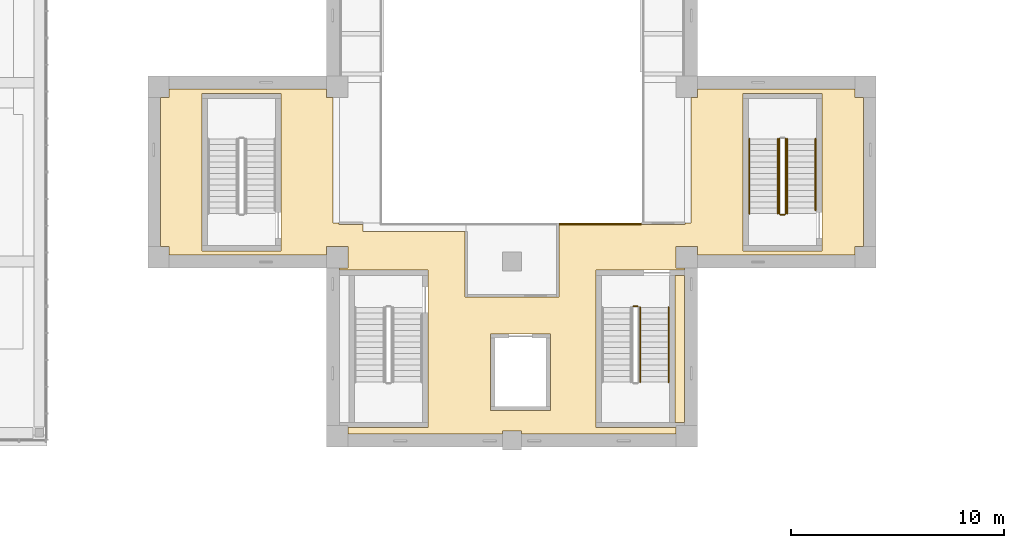
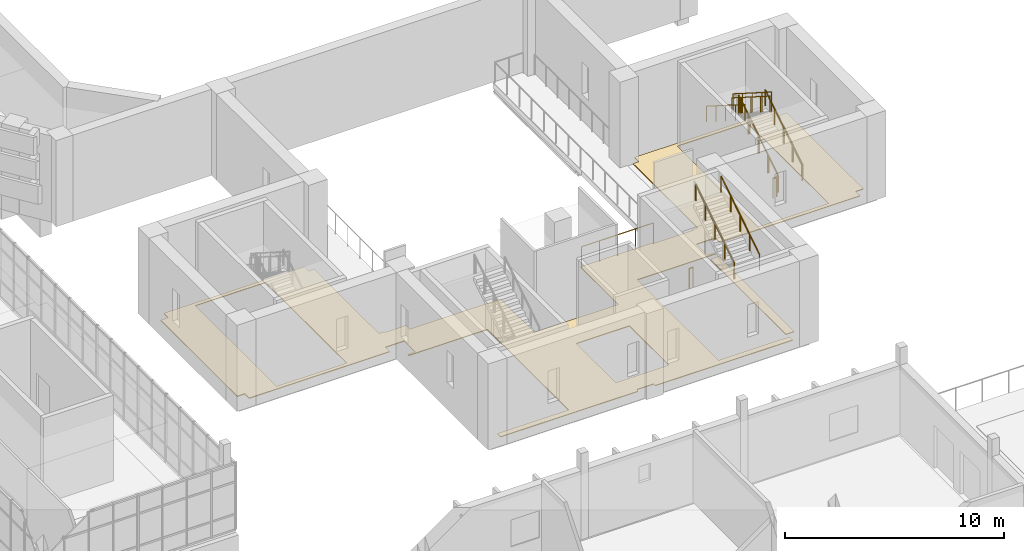
# One storey, part 82 of 103: 11 railings, 2 coverings.
"""IFC4 building model written with IfcOpenShell, lengths in metres."""

from ifc_helpers import new_model, si_unit, direction, frame, origin, origin_2d, place, context, subcontext, project, spatial, polyline, circle, outline, extrude, material, layer, layer_set, type_object, element, save


model = new_model("IFC4")

# Units and contexts
model_context = context("Model", 3, precision=1e-05, world=origin(), true_north=direction((0.0, 1.0)))
body_context = subcontext(model_context, "Body", "Model", "MODEL_VIEW")
ifc_project = project(units=[si_unit("LENGTHUNIT", "METRE"), si_unit("AREAUNIT", "SQUARE_METRE"), si_unit("VOLUMEUNIT", "CUBIC_METRE"), si_unit("PLANEANGLEUNIT", "RADIAN"), si_unit("MASSUNIT", "GRAM", prefix="KILO")], contexts=[model_context])

# Site, building, storey
site_placement = place(None, origin())
site = spatial("IfcSite", under=ifc_project, at=site_placement, CompositionType="ELEMENT")
building_placement = place(site_placement, origin())
building = spatial("IfcBuilding", under=site, at=building_placement, Name="Larchfold Concert Hall", CompositionType="ELEMENT")
storey_placement = place(building_placement, frame((0.0, 0.0, 9.60009765625)))
storey = spatial("IfcBuildingStorey", under=building, at=storey_placement, Name="L02", CompositionType="ELEMENT", Elevation=9.60009765625)

# Coverings
ifc_material_1 = material(Name="Polished terrazzo")
ifc_layer = layer(ifc_material_1, 0.0400390625)
ifc_layer_set = layer_set([ifc_layer], Name="Polished terrazzo")
covering_type = type_object("IfcCoveringType", Name="Floor finish terrazzo 40", PredefinedType="FLOORING", material=ifc_layer_set)
covering_1_placement = place(storey_placement, origin())
element("IfcCovering", 1, at=covering_1_placement, inside=storey, type_object=covering_type, Name="Floor finish Fly Gallery Walkway 01", PredefinedType="FLOORING", context=body_context, shape_type="SweptSolid", body=[
    extrude(outline(polyline([(35.60009765625, 44.33740234375), (34.47998046875, 44.33740234375), (34.47998046875, 44.39990234375), (34.199951171875, 44.39990234375), (34.199951171875, 50.300048828125), (33.89990234375, 50.300048828125), (33.89990234375, 50.699951171875), (26.5, 50.699951171875), (26.5, 50.300048828125), (26.10009765625, 50.300048828125), (26.10009765625, 43.300048828125), (26.5, 43.300048828125), (26.5, 42.900146484375), (33.89990234375, 42.900146484375), (33.89990234375, 43.300048828125), (34.89990234375, 43.300048828125), (34.89990234375, 42.300048828125), (34.5, 42.300048828125), (34.5, 42.199951171875), (38.64990234375, 42.199951171875), (38.64990234375, 34.800048828125), (34.89990234375, 34.800048828125), (34.89990234375, 34.5), (42.150146484375, 34.5), (42.150146484375, 34.64990234375), (43.050048828125, 34.64990234375), (43.050048828125, 34.5), (50.300048828125, 34.5), (50.300048828125, 34.800048828125), (46.550048828125, 34.800048828125), (46.550048828125, 42.199951171875), (50.699951171875, 42.199951171875), (50.699951171875, 42.300048828125), (50.300048828125, 42.300048828125), (50.300048828125, 43.300048828125), (51.300048828125, 43.300048828125), (51.300048828125, 42.900146484375), (58.699951171875, 42.900146484375), (58.699951171875, 43.300048828125), (59.099853515625, 43.300048828125), (59.099853515625, 50.300048828125), (58.699951171875, 50.300048828125), (58.699951171875, 50.699951171875), (51.300048828125, 50.699951171875), (51.300048828125, 50.300048828125), (51.0, 50.300048828125), (51.0, 44.39990234375), (50.719970703125, 44.39990234375), (50.719970703125, 44.33740234375), (48.679931640625, 44.33740234375), (48.679931640625, 44.39990234375), (44.8125, 44.39990234375), (44.8125, 40.9375), (40.387451171875, 40.9375), (40.387451171875, 43.9990234375), (35.60009765625, 43.99951171875), (35.60009765625, 44.33740234375)]), holes=[polyline([(57.14990234375, 43.10009765625), (53.449951171875, 43.10009765625), (53.449951171875, 50.5), (57.14990234375, 50.5), (57.14990234375, 43.10009765625)]), polyline([(41.60009765625, 35.60009765625), (41.60009765625, 39.199951171875), (44.39990234375, 39.199951171875), (44.39990234375, 35.60009765625), (41.60009765625, 35.60009765625)]), polyline([(28.050048828125, 43.10009765625), (28.050048828125, 50.5), (31.75, 50.5), (31.75, 43.10009765625), (28.050048828125, 43.10009765625)])]), origin(), (0.0, 0.0, 1.0), 0.0400390625),
])
covering_2_placement = place(storey_placement, origin())
element("IfcCovering", 2, at=covering_2_placement, inside=storey, type_object=covering_type, Name="Floor finish Fly Gallery Walkway 01", PredefinedType="FLOORING", context=body_context, shape_type="SweptSolid", body=[
    extrude(outline(polyline([(50.25, 35.050048828125), (50.699951171875, 35.050048828125), (50.699951171875, 41.949951171875), (50.25, 41.949951171875), (50.25, 35.050048828125)])), origin(), (0.0, 0.0, 1.0), 0.0400390625),
])

# Railings
ifc_material_2 = material(Name="Stainless steel balustrade", Category="steel")
railing_type_1 = type_object("IfcRailingType", Name="Fly tower guard 1200", PredefinedType="GUARDRAIL", material=ifc_material_2)
railing_1_placement = place(storey_placement, frame((44.8525390625, 44.33984375, 0.0)))
element("IfcRailing", 3, at=railing_1_placement, inside=storey, type_object=railing_type_1, Name="Guard GR0100", PredefinedType="GUARDRAIL", context=body_context, shape_type="SweptSolid", body=[
    extrude(circle(Radius=0.02392578125, at=origin_2d()), frame((0.0, 0.0, 1.17578125), z_axis=(1.0, 0.0, 0.0), x_axis=(0.0, 1.0, 0.0)), (0.0, 0.0, 1.0), 3.787353515625),
    extrude(circle(Radius=0.02099609375, at=origin_2d()), origin(), (0.0, 0.0, 1.0), 1.15185546875),
    extrude(circle(Radius=0.02099609375, at=origin_2d()), frame((0.94677734375, 0.0, 0.0)), (0.0, 0.0, 1.0), 1.15185546875),
    extrude(circle(Radius=0.02099609375, at=origin_2d()), frame((1.8935546875, 0.0, 0.0)), (0.0, 0.0, 1.0), 1.15185546875),
    extrude(circle(Radius=0.02099609375, at=origin_2d()), frame((2.840576171875, 0.0, 0.0)), (0.0, 0.0, 1.0), 1.15185546875),
    extrude(circle(Radius=0.02099609375, at=origin_2d()), frame((3.787353515625, 0.0, 0.0)), (0.0, 0.0, 1.0), 1.15185546875),
])
ifc_material_3 = material(Name="Stainless steel balustrade", Category="steel")
railing_type_2 = type_object("IfcRailingType", Name="Stair guard 1100", PredefinedType="GUARDRAIL", material=ifc_material_3)
railing_2_placement = place(storey_placement, frame((55.449951171875, 44.85009765625, 0.17138671875)))
element("IfcRailing", 4, at=railing_2_placement, inside=storey, type_object=railing_type_2, Name="Guard GR0040", PredefinedType="GUARDRAIL", context=body_context, shape_type="SweptSolid", body=[
    extrude(circle(Radius=0.02392578125, at=origin_2d()), frame((0.0, 0.0, 1.076171875), z_axis=(0.0, 0.844219563411, 0.53599750816), x_axis=(-1.0, 0.0, 0.0)), (0.0, 0.0, 1.0), 4.15771484375),
    extrude(circle(Radius=0.02099609375, at=origin_2d()), origin(), (0.0, 0.0, 1.0), 1.052001953125),
    extrude(circle(Radius=0.02099609375, at=origin_2d()), frame((0.0, 0.87744140625, 0.55712890625)), (0.0, 0.0, 1.0), 1.052001953125),
    extrude(circle(Radius=0.02099609375, at=origin_2d()), frame((0.0, 1.7548828125, 1.1142578125)), (0.0, 0.0, 1.0), 1.052001953125),
    extrude(circle(Radius=0.02099609375, at=origin_2d()), frame((0.0, 2.632568359375, 1.67138671875)), (0.0, 0.0, 1.0), 1.052001953125),
    extrude(circle(Radius=0.02099609375, at=origin_2d()), frame((0.0, 3.510009765625, 2.228515625)), (0.0, 0.0, 1.0), 1.052001953125),
])
railing_3_placement = place(storey_placement, frame((55.14990234375, 48.360107421875, 2.5712890625)))
element("IfcRailing", 5, at=railing_3_placement, inside=storey, type_object=railing_type_2, Name="Guard GR0042", PredefinedType="GUARDRAIL", context=body_context, shape_type="SweptSolid", body=[
    extrude(circle(Radius=0.02392578125, at=origin_2d()), frame((0.0, 0.0, 1.076171875), z_axis=(0.0, -0.844219563411, 0.53599750816), x_axis=(1.0, 0.0, 0.0)), (0.0, 0.0, 1.0), 4.15771484375),
    extrude(circle(Radius=0.02099609375, at=origin_2d()), origin(), (0.0, 0.0, 1.0), 1.052001953125),
    extrude(circle(Radius=0.02099609375, at=origin_2d()), frame((0.0, -0.87744140625, 0.55712890625)), (0.0, 0.0, 1.0), 1.052001953125),
    extrude(circle(Radius=0.02099609375, at=origin_2d()), frame((0.0, -1.7548828125, 1.1142578125)), (0.0, 0.0, 1.0), 1.052001953125),
    extrude(circle(Radius=0.02099609375, at=origin_2d()), frame((0.0, -2.632568359375, 1.67138671875)), (0.0, 0.0, 1.0), 1.052001953125),
    extrude(circle(Radius=0.02099609375, at=origin_2d()), frame((0.0, -3.510009765625, 2.228515625)), (0.0, 0.0, 1.0), 1.052001953125),
])
railing_4_placement = place(storey_placement, frame((55.39990234375, 44.800048828125, 0.0)))
element("IfcRailing", 6, at=railing_4_placement, inside=storey, type_object=railing_type_2, Name="Guard GR0043", PredefinedType="GUARDRAIL", context=body_context, shape_type="SweptSolid", body=[
    extrude(circle(Radius=0.02392578125, at=origin_2d()), frame((0.0, 0.0, 1.076171875), z_axis=(-1.0, 0.0, 0.0), x_axis=(0.0, -1.0, 0.0)), (0.0, 0.0, 1.0), 0.199951171875),
    extrude(circle(Radius=0.02099609375, at=origin_2d()), origin(), (0.0, 0.0, 1.0), 1.052001953125),
    extrude(circle(Radius=0.02099609375, at=origin_2d()), frame((-0.199951171875, 0.0, 0.0)), (0.0, 0.0, 1.0), 1.052001953125),
])
railing_5_placement = place(storey_placement, frame((48.300048828125, 40.5, 0.0)))
element("IfcRailing", 7, at=railing_5_placement, inside=storey, type_object=railing_type_2, Name="Guard GR0051", PredefinedType="GUARDRAIL", context=body_context, shape_type="SweptSolid", body=[
    extrude(circle(Radius=0.02392578125, at=origin_2d()), frame((0.0, 0.0, 1.076171875), z_axis=(1.0, 0.0, 0.0), x_axis=(0.0, 1.0, 0.0)), (0.0, 0.0, 1.0), 0.199951171875),
    extrude(circle(Radius=0.02099609375, at=origin_2d()), origin(), (0.0, 0.0, 1.0), 1.052001953125),
    extrude(circle(Radius=0.02099609375, at=origin_2d()), frame((0.199951171875, 0.0, 0.0)), (0.0, 0.0, 1.0), 1.052001953125),
])
ifc_material_4 = material(Name="Stainless steel handrail", Category="steel")
railing_type_3 = type_object("IfcRailingType", Name="Stair handrail 900", PredefinedType="HANDRAIL", material=ifc_material_4)
railing_6_placement = place(storey_placement, frame((56.849853515625, 45.000244140625, 0.2666015625)))
element("IfcRailing", 8, at=railing_6_placement, inside=storey, type_object=railing_type_3, Name="Handrail HR0037", PredefinedType="HANDRAIL", context=body_context, shape_type="SweptSolid", body=[
    extrude(circle(Radius=0.02392578125, at=origin_2d()), frame((0.0, 0.0, 0.8759765625), z_axis=(0.0, 0.844206646714, 0.536017851983), x_axis=(-1.0, 0.0, 0.0)), (0.0, 0.0, 1.0), 3.97998046875),
    extrude(circle(Radius=0.02099609375, at=origin_2d()), origin(), (0.0, 0.0, 1.0), 0.851806640625),
    extrude(circle(Radius=0.02099609375, at=origin_2d()), frame((0.0, 0.83984375, 0.533203125)), (0.0, 0.0, 1.0), 0.851806640625),
    extrude(circle(Radius=0.02099609375, at=origin_2d()), frame((0.0, 1.679931640625, 1.066650390625)), (0.0, 0.0, 1.0), 0.851806640625),
    extrude(circle(Radius=0.02099609375, at=origin_2d()), frame((0.0, 2.52001953125, 1.60009765625)), (0.0, 0.0, 1.0), 0.851806640625),
    extrude(circle(Radius=0.02099609375, at=origin_2d()), frame((0.0, 3.35986328125, 2.13330078125)), (0.0, 0.0, 1.0), 0.851806640625),
])
railing_7_placement = place(storey_placement, frame((53.75, 48.360107421875, 2.5712890625)))
element("IfcRailing", 9, at=railing_7_placement, inside=storey, type_object=railing_type_3, Name="Handrail HR0038", PredefinedType="HANDRAIL", context=body_context, shape_type="SweptSolid", body=[
    extrude(circle(Radius=0.02392578125, at=origin_2d()), frame((0.0, 0.0, 0.8759765625), z_axis=(0.0, -0.844219563411, 0.53599750816), x_axis=(1.0, 0.0, 0.0)), (0.0, 0.0, 1.0), 4.15771484375),
    extrude(circle(Radius=0.02099609375, at=origin_2d()), origin(), (0.0, 0.0, 1.0), 0.851806640625),
    extrude(circle(Radius=0.02099609375, at=origin_2d()), frame((0.0, -0.87744140625, 0.55712890625)), (0.0, 0.0, 1.0), 0.851806640625),
    extrude(circle(Radius=0.02099609375, at=origin_2d()), frame((0.0, -1.7548828125, 1.1142578125)), (0.0, 0.0, 1.0), 0.851806640625),
    extrude(circle(Radius=0.02099609375, at=origin_2d()), frame((0.0, -2.632568359375, 1.67138671875)), (0.0, 0.0, 1.0), 0.851806640625),
    extrude(circle(Radius=0.02099609375, at=origin_2d()), frame((0.0, -3.510009765625, 2.228515625)), (0.0, 0.0, 1.0), 0.851806640625),
])
railing_8_placement = place(storey_placement, frame((55.52001953125, 44.85009765625, 0.17138671875)))
element("IfcRailing", 10, at=railing_8_placement, inside=storey, type_object=railing_type_3, Name="Handrail HR0039", PredefinedType="HANDRAIL", context=body_context, shape_type="SweptSolid", body=[
    extrude(circle(Radius=0.02392578125, at=origin_2d()), frame((0.0, 0.0, 0.8759765625), z_axis=(0.0, 0.844219563411, 0.53599750816), x_axis=(-1.0, 0.0, 0.0)), (0.0, 0.0, 1.0), 4.15771484375),
    extrude(circle(Radius=0.02099609375, at=origin_2d()), origin(), (0.0, 0.0, 1.0), 0.851806640625),
    extrude(circle(Radius=0.02099609375, at=origin_2d()), frame((0.0, 0.87744140625, 0.55712890625)), (0.0, 0.0, 1.0), 0.851806640625),
    extrude(circle(Radius=0.02099609375, at=origin_2d()), frame((0.0, 1.7548828125, 1.1142578125)), (0.0, 0.0, 1.0), 0.851806640625),
    extrude(circle(Radius=0.02099609375, at=origin_2d()), frame((0.0, 2.632568359375, 1.67138671875)), (0.0, 0.0, 1.0), 0.851806640625),
    extrude(circle(Radius=0.02099609375, at=origin_2d()), frame((0.0, 3.510009765625, 2.228515625)), (0.0, 0.0, 1.0), 0.851806640625),
])
railing_9_placement = place(storey_placement, frame((55.079833984375, 48.360107421875, 2.5712890625)))
element("IfcRailing", 11, at=railing_9_placement, inside=storey, type_object=railing_type_3, Name="Handrail HR0040", PredefinedType="HANDRAIL", context=body_context, shape_type="SweptSolid", body=[
    extrude(circle(Radius=0.02392578125, at=origin_2d()), frame((0.0, 0.0, 0.8759765625), z_axis=(0.0, -0.844219563411, 0.53599750816), x_axis=(1.0, 0.0, 0.0)), (0.0, 0.0, 1.0), 4.15771484375),
    extrude(circle(Radius=0.02099609375, at=origin_2d()), origin(), (0.0, 0.0, 1.0), 0.851806640625),
    extrude(circle(Radius=0.02099609375, at=origin_2d()), frame((0.0, -0.87744140625, 0.55712890625)), (0.0, 0.0, 1.0), 0.851806640625),
    extrude(circle(Radius=0.02099609375, at=origin_2d()), frame((0.0, -1.7548828125, 1.1142578125)), (0.0, 0.0, 1.0), 0.851806640625),
    extrude(circle(Radius=0.02099609375, at=origin_2d()), frame((0.0, -2.632568359375, 1.67138671875)), (0.0, 0.0, 1.0), 0.851806640625),
    extrude(circle(Radius=0.02099609375, at=origin_2d()), frame((0.0, -3.510009765625, 2.228515625)), (0.0, 0.0, 1.0), 0.851806640625),
])
for number, where, name in (
    (12, (49.949951171875, 36.93994140625, 2.5712890625), "Handrail HR0046"),
    (13, (48.6201171875, 36.93994140625, 2.5712890625), "Handrail HR0048"),
):
    element("IfcRailing", number, at=place(storey_placement, frame(where)), inside=storey, type_object=railing_type_3, Name=name, PredefinedType="HANDRAIL", context=body_context, shape_type="SweptSolid", body=[
        extrude(circle(Radius=0.02392578125, at=origin_2d()), frame((0.0, 0.0, 0.8759765625), z_axis=(0.0, 0.844219563411, 0.53599750816), x_axis=(-1.0, 0.0, 0.0)), (0.0, 0.0, 1.0), 4.15771484375),
        extrude(circle(Radius=0.02099609375, at=origin_2d()), origin(), (0.0, 0.0, 1.0), 0.851806640625),
        extrude(circle(Radius=0.02099609375, at=origin_2d()), frame((0.0, 0.87744140625, 0.55712890625)), (0.0, 0.0, 1.0), 0.851806640625),
        extrude(circle(Radius=0.02099609375, at=origin_2d()), frame((0.0, 1.7548828125, 1.1142578125)), (0.0, 0.0, 1.0), 0.851806640625),
        extrude(circle(Radius=0.02099609375, at=origin_2d()), frame((0.0, 2.632568359375, 1.67138671875)), (0.0, 0.0, 1.0), 0.851806640625),
        extrude(circle(Radius=0.02099609375, at=origin_2d()), frame((0.0, 3.510009765625, 2.228515625)), (0.0, 0.0, 1.0), 0.851806640625),
    ])

save(model, "model.ifc")
